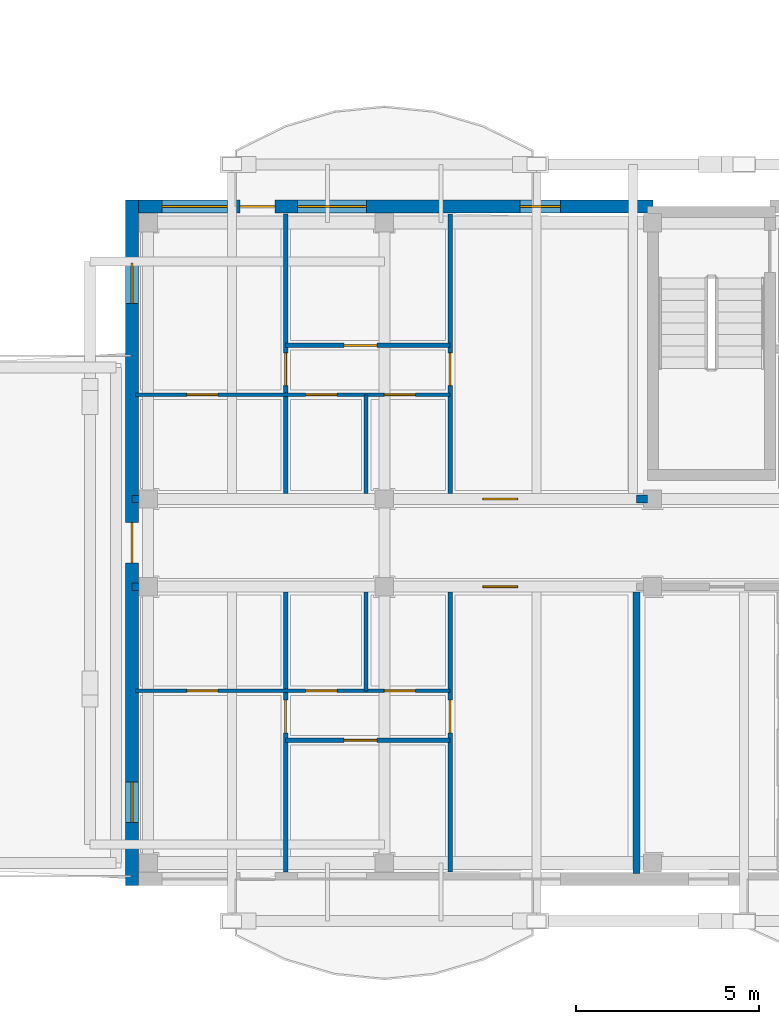
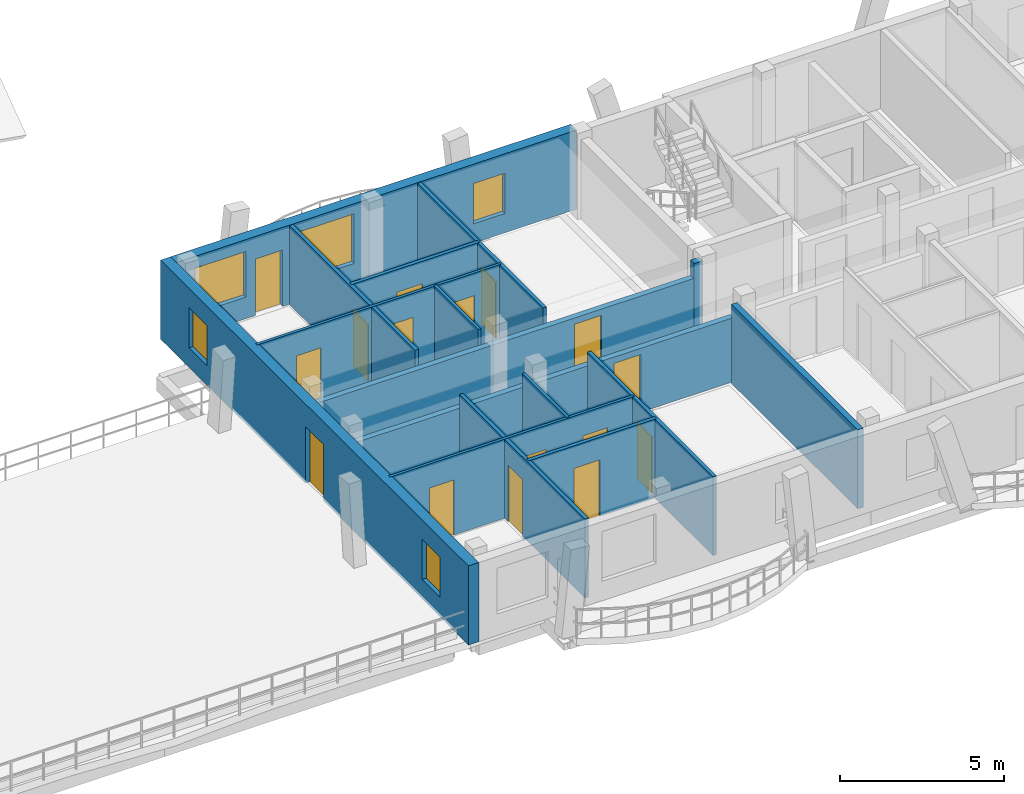
# One storey, part 70 of 109: 16 doors, 16 walls, 5 windows, 21 openings.
"""IFC4 building model written with IfcOpenShell, lengths in metres."""

from ifc_helpers import new_model, si_unit, direction, frame, frame_2d, origin, origin_with_axes, place, context, subcontext, project, spatial, rectangle, extrude, material, layer, layer_set, type_object, element, fill, save


model = new_model("IFC4")

# Units and contexts
model_context = context("Model", 3, precision=1e-05, world=origin(), true_north=direction((0.0, 1.0)))
body_context = subcontext(model_context, "Body", "Model", "MODEL_VIEW")
ifc_project = project(units=[si_unit("LENGTHUNIT", "METRE"), si_unit("AREAUNIT", "SQUARE_METRE"), si_unit("VOLUMEUNIT", "CUBIC_METRE"), si_unit("PLANEANGLEUNIT", "RADIAN"), si_unit("MASSUNIT", "GRAM", prefix="KILO")], contexts=[model_context])

# Site, building, storey
site_placement = place(None, origin())
site = spatial("IfcSite", under=ifc_project, at=site_placement, CompositionType="ELEMENT")
building_placement = place(site_placement, origin())
building = spatial("IfcBuilding", under=site, at=building_placement, Name="Zavelmont Quarter", CompositionType="ELEMENT")
storey_placement = place(building_placement, frame((0.0, 0.0, 8.0)))
storey = spatial("IfcBuildingStorey", under=building, at=storey_placement, Name="L02", CompositionType="ELEMENT", Elevation=8.0)

# Wall, openings, door, windows
ifc_material_1 = material(Name="Natural Belgian limestone", Category="masonry")
ifc_layer_1 = layer(ifc_material_1, 0.360107421875)
ifc_layer_set_1 = layer_set([ifc_layer_1], Name="Natural Belgian limestone")
wall_type_1 = type_object("IfcWallType", Name="EW02", PredefinedType="STANDARD", material=ifc_layer_set_1)
wall_1_placement = place(storey_placement, frame((112.969970703125, 18.39990234375, 0.0), z_axis=(0.0, 0.0, 1.0), x_axis=(1.0, 0.0, 0.0)))
wall_1 = element("IfcWall", 1, at=wall_1_placement, inside=storey, type_object=wall_type_1, Name="L02 exterior limestone wall EW02", PredefinedType="STANDARD", context=body_context, shape_type="SweptSolid", body=[
    extrude(rectangle(XDim=14.080078125, YDim=0.360107421875, at=frame_2d((7.0400390625, 0.0))), origin(), (0.0, 0.0, 1.0), 2.93994140625),
])
opening_1_placement = place(wall_1_placement, frame((2.7880859375, 0.0, 0.0)))
opening_1 = element("IfcOpeningElement", 2, at=opening_1_placement, cuts=wall_1, Name="Opening DR04", PredefinedType="OPENING", context=body_context, shape_type="SweptSolid", body=[
    extrude(rectangle(XDim=0.949951171875, YDim=2.10009765625, at=frame_2d((0.47509765625, 1.050048828125))), frame((0.0, 0.19189453125, 0.0), z_axis=(0.0, -1.0, 0.0), x_axis=(1.0, 0.0, 0.0)), (0.0, 0.0, 1.0), 0.384033203125),
])
opening_2_placement = place(wall_1_placement, frame((0.64501953125, 0.0, 0.800048828125)))
opening_2 = element("IfcOpeningElement", 3, at=opening_2_placement, cuts=wall_1, Name="Opening WN02", PredefinedType="OPENING", context=body_context, shape_type="SweptSolid", body=[
    extrude(rectangle(XDim=1.800048828125, YDim=1.699951171875, at=frame_2d((0.89990234375, 0.85009765625))), frame((0.0, 0.19189453125, 0.0), z_axis=(0.0, -1.0, 0.0), x_axis=(1.0, 0.0, 0.0)), (0.0, 0.0, 1.0), 0.384033203125),
])
opening_3_placement = place(wall_1_placement, frame((4.35009765625, 0.0, 0.719970703125)))
opening_3 = element("IfcOpeningElement", 4, at=opening_3_placement, cuts=wall_1, Name="Opening WN20", PredefinedType="OPENING", context=body_context, shape_type="SweptSolid", body=[
    extrude(rectangle(XDim=1.89990234375, YDim=1.85009765625, at=frame_2d((0.949951171875, 0.925048828125))), frame((0.0, 0.19189453125, 0.0), z_axis=(0.0, -1.0, 0.0), x_axis=(1.0, 0.0, 0.0)), (0.0, 0.0, 1.0), 0.384033203125),
])
opening_4_placement = place(wall_1_placement, frame((10.449951171875, 0.0, 0.719970703125)))
opening_4 = element("IfcOpeningElement", 5, at=opening_4_placement, cuts=wall_1, Name="Opening WN09", PredefinedType="OPENING", context=body_context, shape_type="SweptSolid", body=[
    extrude(rectangle(XDim=1.10009765625, YDim=1.5, at=frame_2d((0.550048828125, 0.75))), frame((0.0, 0.19189453125, 0.0), z_axis=(0.0, -1.0, 0.0), x_axis=(1.0, 0.0, 0.0)), (0.0, 0.0, 1.0), 0.384033203125),
])
ifc_material_2 = material(Name="Thermally broken aluminium and double safety glass", Category="aluminium")
door_type_1 = type_object("IfcDoorType", Name="DR04", OperationType="NOTDEFINED", PredefinedType="DOOR", material=ifc_material_2)
door_1_placement = place(opening_1_placement, frame((0.949951171875, 0.0, 0.0), z_axis=(0.0, 0.0, 1.0), x_axis=(-1.0, 0.0, 0.0)))
door_1 = element("IfcDoor", 6, at=door_1_placement, inside=storey, type_object=door_type_1, Name="Block D L02 glazed balcony door", OperationType="SINGLE_SWING_LEFT", OverallHeight=2.10009765625, OverallWidth=0.949951171875, PredefinedType="DOOR", context=body_context, shape_type="SweptSolid", body=[
    extrude(rectangle(XDim=0.949951171875, YDim=2.10009765625, at=frame_2d((0.47509765625, 1.050048828125))), frame((0.0, 0.02490234375, 0.0), z_axis=(0.0, -1.0, 0.0), x_axis=(1.0, 0.0, 0.0)), (0.0, 0.0, 1.0), 0.050048828125),
])
fill(opening_1, door_1)
ifc_material_3 = material(Name="Double low-E insulated glazing in thermally broken aluminium frame", Category="aluminium")
window_type_1 = type_object("IfcWindowType", Name="WN02", PartitioningType="SINGLE_PANEL", PredefinedType="WINDOW", material=ifc_material_3)
window_1_placement = place(opening_2_placement, origin_with_axes())
window_1 = element("IfcWindow", 7, at=window_1_placement, inside=storey, type_object=window_type_1, Name="L02 window WN02", OverallHeight=1.699951171875, OverallWidth=1.800048828125, PartitioningType="SINGLE_PANEL", PredefinedType="WINDOW", context=body_context, shape_type="SweptSolid", body=[
    extrude(rectangle(XDim=1.800048828125, YDim=1.699951171875, at=frame_2d((0.89990234375, 0.85009765625))), frame((0.0, 0.030029296875, 0.0), z_axis=(0.0, -1.0, 0.0), x_axis=(1.0, 0.0, 0.0)), (0.0, 0.0, 1.0), 0.06005859375),
])
fill(opening_2, window_1)
window_type_2 = type_object("IfcWindowType", Name="WN09", PartitioningType="SINGLE_PANEL", PredefinedType="WINDOW", material=ifc_material_3)
window_2_placement = place(opening_4_placement, origin_with_axes())
window_2 = element("IfcWindow", 8, at=window_2_placement, inside=storey, type_object=window_type_2, Name="L02 window WN09", OverallHeight=1.5, OverallWidth=1.10009765625, PartitioningType="SINGLE_PANEL", PredefinedType="WINDOW", context=body_context, shape_type="SweptSolid", body=[
    extrude(rectangle(XDim=1.10009765625, YDim=1.5, at=frame_2d((0.550048828125, 0.75))), frame((0.0, 0.030029296875, 0.0), z_axis=(0.0, -1.0, 0.0), x_axis=(1.0, 0.0, 0.0)), (0.0, 0.0, 1.0), 0.06005859375),
])
fill(opening_4, window_2)
window_type_3 = type_object("IfcWindowType", Name="WN20", PartitioningType="SINGLE_PANEL", PredefinedType="WINDOW", material=ifc_material_3)
window_3_placement = place(opening_3_placement, origin_with_axes())
window_3 = element("IfcWindow", 9, at=window_3_placement, inside=storey, type_object=window_type_3, Name="L02 window WN20", OverallHeight=1.85009765625, OverallWidth=1.89990234375, PartitioningType="SINGLE_PANEL", PredefinedType="WINDOW", context=body_context, shape_type="SweptSolid", body=[
    extrude(rectangle(XDim=1.89990234375, YDim=1.85009765625, at=frame_2d((0.949951171875, 0.925048828125))), frame((0.0, 0.030029296875, 0.0), z_axis=(0.0, -1.0, 0.0), x_axis=(1.0, 0.0, 0.0)), (0.0, 0.0, 1.0), 0.06005859375),
])
fill(opening_3, window_3)

wall_2_placement = place(storey_placement, frame((112.800048828125, -0.179931640625, 0.0), z_axis=(0.0, 0.0, 1.0), x_axis=(0.0, 1.0, 0.0)))
wall_2 = element("IfcWall", 10, at=wall_2_placement, inside=storey, type_object=wall_type_1, Name="L02 exterior limestone wall EW02", PredefinedType="STANDARD", context=body_context, shape_type="SweptSolid", body=[
    extrude(rectangle(XDim=18.760009765625, YDim=0.360107421875, at=frame_2d((9.3798828125, 0.0))), origin(), (0.0, 0.0, 1.0), 2.93994140625),
])
opening_5_placement = place(wall_2_placement, frame((8.830078125, 0.0, 0.0)))
opening_5 = element("IfcOpeningElement", 11, at=opening_5_placement, cuts=wall_2, Name="Opening DR04B", PredefinedType="OPENING", context=body_context, shape_type="SweptSolid", body=[
    extrude(rectangle(XDim=1.10009765625, YDim=2.10009765625, at=frame_2d((0.550048828125, 1.050048828125))), frame((0.0, 0.19189453125, 0.0), z_axis=(0.0, -1.0, 0.0), x_axis=(1.0, 0.0, 0.0)), (0.0, 0.0, 1.0), 0.384033203125),
])
opening_6_placement = place(wall_2_placement, frame((1.72998046875, 0.0, 0.719970703125)))
opening_6 = element("IfcOpeningElement", 12, at=opening_6_placement, cuts=wall_2, Name="Opening WN09", PredefinedType="OPENING", context=body_context, shape_type="SweptSolid", body=[
    extrude(rectangle(XDim=1.10009765625, YDim=1.5, at=frame_2d((0.550048828125, 0.75))), frame((0.0, 0.19189453125, 0.0), z_axis=(0.0, -1.0, 0.0), x_axis=(1.0, 0.0, 0.0)), (0.0, 0.0, 1.0), 0.384033203125),
])
opening_7_placement = place(wall_2_placement, frame((15.929931640625, 0.0, 0.719970703125)))
opening_7 = element("IfcOpeningElement", 13, at=opening_7_placement, cuts=wall_2, Name="Opening WN09", PredefinedType="OPENING", context=body_context, shape_type="SweptSolid", body=[
    extrude(rectangle(XDim=1.10009765625, YDim=1.5, at=frame_2d((0.550048828125, 0.75))), frame((0.0, 0.19189453125, 0.0), z_axis=(0.0, -1.0, 0.0), x_axis=(1.0, 0.0, 0.0)), (0.0, 0.0, 1.0), 0.384033203125),
])
door_type_2 = type_object("IfcDoorType", Name="DR04B", OperationType="NOTDEFINED", PredefinedType="DOOR", material=ifc_material_2)
door_2_placement = place(opening_5_placement, frame((1.10009765625, 0.0, 0.0), z_axis=(0.0, 0.0, 1.0), x_axis=(-1.0, 0.0, 0.0)))
door_2 = element("IfcDoor", 14, at=door_2_placement, inside=storey, type_object=door_type_2, Name="Block D L02 street arcade link door", OperationType="SINGLE_SWING_RIGHT", OverallHeight=2.10009765625, OverallWidth=1.10009765625, PredefinedType="DOOR", context=body_context, shape_type="SweptSolid", body=[
    extrude(rectangle(XDim=1.10009765625, YDim=2.10009765625, at=frame_2d((0.550048828125, 1.050048828125))), frame((0.0, 0.02490234375, 0.0), z_axis=(0.0, -1.0, 0.0), x_axis=(1.0, 0.0, 0.0)), (0.0, 0.0, 1.0), 0.050048828125),
])
fill(opening_5, door_2)
window_4_placement = place(opening_6_placement, origin_with_axes())
window_4 = element("IfcWindow", 15, at=window_4_placement, inside=storey, type_object=window_type_2, Name="L02 window WN09", OverallHeight=1.5, OverallWidth=1.10009765625, PartitioningType="SINGLE_PANEL", PredefinedType="WINDOW", context=body_context, shape_type="SweptSolid", body=[
    extrude(rectangle(XDim=1.10009765625, YDim=1.5, at=frame_2d((0.550048828125, 0.75))), frame((0.0, 0.030029296875, 0.0), z_axis=(0.0, -1.0, 0.0), x_axis=(1.0, 0.0, 0.0)), (0.0, 0.0, 1.0), 0.06005859375),
])
fill(opening_6, window_4)
window_5_placement = place(opening_7_placement, origin_with_axes())
window_5 = element("IfcWindow", 16, at=window_5_placement, inside=storey, type_object=window_type_2, Name="L02 window WN09", OverallHeight=1.5, OverallWidth=1.10009765625, PartitioningType="SINGLE_PANEL", PredefinedType="WINDOW", context=body_context, shape_type="SweptSolid", body=[
    extrude(rectangle(XDim=1.10009765625, YDim=1.5, at=frame_2d((0.550048828125, 0.75))), frame((0.0, 0.030029296875, 0.0), z_axis=(0.0, -1.0, 0.0), x_axis=(1.0, 0.0, 0.0)), (0.0, 0.0, 1.0), 0.06005859375),
])
fill(opening_7, window_5)

# Wall
ifc_material_4 = material(Name="Calcium-silicate blockwork and acoustic plaster", Category="masonry")
ifc_layer_2 = layer(ifc_material_4, 0.199951171875)
ifc_layer_set_2 = layer_set([ifc_layer_2], Name="Calcium-silicate blockwork and acoustic plaster")
wall_type_2 = type_object("IfcWallType", Name="IW01", PredefinedType="PARTITIONING", material=ifc_layer_set_2)
wall_3_placement = place(storey_placement, frame((126.60009765625, 7.85009765625, 0.0), z_axis=(0.0, 0.0, 1.0), x_axis=(0.0, -1.0, 0.0)))
element("IfcWall", 17, at=wall_3_placement, inside=storey, type_object=wall_type_2, Name="L02 Inter-dwelling compartment wall IW01", PredefinedType="PARTITIONING", context=body_context, shape_type="SweptSolid", body=[
    extrude(rectangle(XDim=7.7001953125, YDim=0.199951171875, at=frame_2d((3.85009765625, 0.0))), origin(), (0.0, 0.0, 1.0), 2.93994140625),
])

# Wall, opening, door
wall_4_placement = place(storey_placement, frame((112.800048828125, 8.0, 0.0), z_axis=(0.0, 0.0, 1.0), x_axis=(1.0, 0.0, 0.0)))
wall_4 = element("IfcWall", 18, at=wall_4_placement, inside=storey, type_object=wall_type_2, Name="L02 Corridor compartment wall IW01", PredefinedType="PARTITIONING", context=body_context, shape_type="SweptSolid", body=[
    extrude(rectangle(XDim=13.800048828125, YDim=0.199951171875, at=frame_2d((6.89990234375, 0.0))), origin(), (0.0, 0.0, 1.0), 2.3798828125),
])
opening_8_placement = place(wall_4_placement, frame((9.60009765625, 0.0, 0.0)))
opening_8 = element("IfcOpeningElement", 19, at=opening_8_placement, cuts=wall_4, Name="Opening DR02", PredefinedType="OPENING", context=body_context, shape_type="SweptSolid", body=[
    extrude(rectangle(XDim=0.949951171875, YDim=2.14990234375, at=frame_2d((0.47509765625, 1.074951171875))), frame((0.0, 0.11181640625, 0.0), z_axis=(0.0, -1.0, 0.0), x_axis=(1.0, 0.0, 0.0)), (0.0, 0.0, 1.0), 0.223876953125),
])
ifc_material_5 = material(Name="Solid-core oak fire leaf in steel frame", Category="steel")
door_type_3 = type_object("IfcDoorType", Name="DR02", OperationType="NOTDEFINED", PredefinedType="DOOR", material=ifc_material_5)
door_3_placement = place(opening_8_placement, frame((0.949951171875, 0.0, 0.0), z_axis=(0.0, 0.0, 1.0), x_axis=(-1.0, 0.0, 0.0)))
door_3 = element("IfcDoor", 20, at=door_3_placement, inside=storey, type_object=door_type_3, Name="L02 door DR02", OperationType="SINGLE_SWING_LEFT", OverallHeight=2.14990234375, OverallWidth=0.949951171875, PredefinedType="DOOR", context=body_context, shape_type="SweptSolid", body=[
    extrude(rectangle(XDim=0.949951171875, YDim=2.14990234375, at=frame_2d((0.47509765625, 1.074951171875))), frame((0.0, 0.02490234375, 0.0), z_axis=(0.0, -1.0, 0.0), x_axis=(1.0, 0.0, 0.0)), (0.0, 0.0, 1.0), 0.050048828125),
])
fill(opening_8, door_3)

wall_5_placement = place(storey_placement, frame((112.800048828125, 10.39990234375, 0.0), z_axis=(0.0, 0.0, 1.0), x_axis=(1.0, 0.0, 0.0)))
wall_5 = element("IfcWall", 21, at=wall_5_placement, inside=storey, type_object=wall_type_2, Name="L02 Corridor compartment wall IW01", PredefinedType="PARTITIONING", context=body_context, shape_type="SweptSolid", body=[
    extrude(rectangle(XDim=13.800048828125, YDim=0.199951171875, at=frame_2d((6.89990234375, 0.0))), origin(), (0.0, 0.0, 1.0), 2.3798828125),
])
opening_9_placement = place(wall_5_placement, frame((9.60009765625, 0.0, 0.0)))
opening_9 = element("IfcOpeningElement", 22, at=opening_9_placement, cuts=wall_5, Name="Opening DR02", PredefinedType="OPENING", context=body_context, shape_type="SweptSolid", body=[
    extrude(rectangle(XDim=0.949951171875, YDim=2.14990234375, at=frame_2d((0.47509765625, 1.074951171875))), frame((0.0, 0.11181640625, 0.0), z_axis=(0.0, -1.0, 0.0), x_axis=(1.0, 0.0, 0.0)), (0.0, 0.0, 1.0), 0.223876953125),
])
door_4_placement = place(opening_9_placement, origin_with_axes())
door_4 = element("IfcDoor", 23, at=door_4_placement, inside=storey, type_object=door_type_3, Name="L02 door DR02", OperationType="SINGLE_SWING_LEFT", OverallHeight=2.14990234375, OverallWidth=0.949951171875, PredefinedType="DOOR", context=body_context, shape_type="SweptSolid", body=[
    extrude(rectangle(XDim=0.949951171875, YDim=2.14990234375, at=frame_2d((0.47509765625, 1.074951171875))), frame((0.0, 0.02490234375, 0.0), z_axis=(0.0, -1.0, 0.0), x_axis=(1.0, 0.0, 0.0)), (0.0, 0.0, 1.0), 0.050048828125),
])
fill(opening_9, door_4)

# Wall
ifc_material_6 = material(Name="Reinforced masonry fire compartment wall", Category="masonry")
ifc_layer_3 = layer(ifc_material_6, 0.22509765625)
ifc_layer_set_3 = layer_set([ifc_layer_3], Name="Reinforced masonry fire compartment wall")
wall_type_3 = type_object("IfcWallType", Name="IW02", PredefinedType="PARTITIONING", material=ifc_layer_set_3)
wall_6_placement = place(storey_placement, frame((126.60009765625, 10.39990234375, 0.0), z_axis=(0.0, 0.0, 1.0), x_axis=(1.0, 0.0, 0.0)))
element("IfcWall", 24, at=wall_6_placement, inside=storey, type_object=wall_type_3, Name="L02 Core corridor wall IW02", PredefinedType="PARTITIONING", context=body_context, shape_type="SweptSolid", body=[
    extrude(rectangle(XDim=0.2998046875, YDim=0.22509765625, at=frame_2d((0.14990234375, 0.0))), origin(), (0.0, 0.0, 1.0), 2.93994140625),
])

# Wall, opening, door
ifc_material_7 = material(Name="Double gypsum board on acoustic steel stud", Category="steel")
ifc_layer_4 = layer(ifc_material_7, 0.125)
ifc_layer_set_4 = layer_set([ifc_layer_4], Name="Double gypsum board on acoustic steel stud")
wall_type_4 = type_object("IfcWallType", Name="IW03", PredefinedType="PARTITIONING", material=ifc_layer_set_4)
wall_7_placement = place(storey_placement, frame((121.5, 7.85009765625, 0.0), z_axis=(0.0, 0.0, 1.0), x_axis=(0.0, -1.0, 0.0)))
wall_7 = element("IfcWall", 25, at=wall_7_placement, inside=storey, type_object=wall_type_4, Name="L02 Partition IW03", PredefinedType="PARTITIONING", context=body_context, shape_type="SweptSolid", body=[
    extrude(rectangle(XDim=7.650146484375, YDim=0.125, at=frame_2d((3.8251953125, 0.0))), origin(), (0.0, 0.0, 1.0), 2.93994140625),
])
opening_10_placement = place(wall_7_placement, frame((2.949951171875, 0.0, 0.0)))
opening_10 = element("IfcOpeningElement", 26, at=opening_10_placement, cuts=wall_7, Name="Opening DR05", PredefinedType="OPENING", context=body_context, shape_type="SweptSolid", body=[
    extrude(rectangle(XDim=0.89990234375, YDim=2.10009765625, at=frame_2d((0.449951171875, 1.050048828125))), frame((0.0, 0.074462890625, 0.0), z_axis=(0.0, -1.0, 0.0), x_axis=(1.0, 0.0, 0.0)), (0.0, 0.0, 1.0), 0.14892578125),
])
ifc_material_8 = material(Name="Engineered oak flush interior door")
door_type_4 = type_object("IfcDoorType", Name="DR05", OperationType="NOTDEFINED", PredefinedType="DOOR", material=ifc_material_8)
door_5_placement = place(opening_10_placement, frame((0.89990234375, 0.0, 0.0), z_axis=(0.0, 0.0, 1.0), x_axis=(-1.0, 0.0, 0.0)))
door_5 = element("IfcDoor", 27, at=door_5_placement, inside=storey, type_object=door_type_4, Name="L02 door DR05", OperationType="SINGLE_SWING_LEFT", OverallHeight=2.10009765625, OverallWidth=0.89990234375, PredefinedType="DOOR", context=body_context, shape_type="SweptSolid", body=[
    extrude(rectangle(XDim=0.89990234375, YDim=2.10009765625, at=frame_2d((0.449951171875, 1.050048828125))), frame((0.0, 0.02490234375, 0.0), z_axis=(0.0, -1.0, 0.0), x_axis=(1.0, 0.0, 0.0)), (0.0, 0.0, 1.0), 0.050048828125),
])
fill(opening_10, door_5)

wall_8_placement = place(storey_placement, frame((117.0, 7.85009765625, 0.0), z_axis=(0.0, 0.0, 1.0), x_axis=(0.0, -1.0, 0.0)))
wall_8 = element("IfcWall", 28, at=wall_8_placement, inside=storey, type_object=wall_type_4, Name="L02 Partition IW03", PredefinedType="PARTITIONING", context=body_context, shape_type="SweptSolid", body=[
    extrude(rectangle(XDim=7.650146484375, YDim=0.125, at=frame_2d((3.8251953125, 0.0))), origin(), (0.0, 0.0, 1.0), 2.93994140625),
])
opening_11_placement = place(wall_8_placement, frame((2.949951171875, 0.0, 0.0)))
opening_11 = element("IfcOpeningElement", 29, at=opening_11_placement, cuts=wall_8, Name="Opening DR05", PredefinedType="OPENING", context=body_context, shape_type="SweptSolid", body=[
    extrude(rectangle(XDim=0.89990234375, YDim=2.10009765625, at=frame_2d((0.449951171875, 1.050048828125))), frame((0.0, 0.074462890625, 0.0), z_axis=(0.0, -1.0, 0.0), x_axis=(1.0, 0.0, 0.0)), (0.0, 0.0, 1.0), 0.14892578125),
])
door_6_placement = place(opening_11_placement, origin_with_axes())
door_6 = element("IfcDoor", 30, at=door_6_placement, inside=storey, type_object=door_type_4, Name="L02 door DR05", OperationType="SINGLE_SWING_RIGHT", OverallHeight=2.10009765625, OverallWidth=0.89990234375, PredefinedType="DOOR", context=body_context, shape_type="SweptSolid", body=[
    extrude(rectangle(XDim=0.89990234375, YDim=2.10009765625, at=frame_2d((0.449951171875, 1.050048828125))), frame((0.0, 0.02490234375, 0.0), z_axis=(0.0, -1.0, 0.0), x_axis=(1.0, 0.0, 0.0)), (0.0, 0.0, 1.0), 0.050048828125),
])
fill(opening_11, door_6)

wall_9_placement = place(storey_placement, frame((117.0, 3.800048828125, 0.0), z_axis=(0.0, 0.0, 1.0), x_axis=(1.0, 0.0, 0.0)))
wall_9 = element("IfcWall", 31, at=wall_9_placement, inside=storey, type_object=wall_type_4, Name="L02 Partition IW03", PredefinedType="PARTITIONING", context=body_context, shape_type="SweptSolid", body=[
    extrude(rectangle(XDim=4.5, YDim=0.125, at=frame_2d((2.25, 0.0))), origin(), (0.0, 0.0, 1.0), 2.93994140625),
])
opening_12_placement = place(wall_9_placement, frame((1.60009765625, 0.0, 0.0)))
opening_12 = element("IfcOpeningElement", 32, at=opening_12_placement, cuts=wall_9, Name="Opening DR05", PredefinedType="OPENING", context=body_context, shape_type="SweptSolid", body=[
    extrude(rectangle(XDim=0.89990234375, YDim=2.10009765625, at=frame_2d((0.449951171875, 1.050048828125))), frame((0.0, 0.074462890625, 0.0), z_axis=(0.0, -1.0, 0.0), x_axis=(1.0, 0.0, 0.0)), (0.0, 0.0, 1.0), 0.14892578125),
])
door_7_placement = place(opening_12_placement, origin_with_axes())
door_7 = element("IfcDoor", 33, at=door_7_placement, inside=storey, type_object=door_type_4, Name="L02 door DR05", OperationType="SINGLE_SWING_RIGHT", OverallHeight=2.10009765625, OverallWidth=0.89990234375, PredefinedType="DOOR", context=body_context, shape_type="SweptSolid", body=[
    extrude(rectangle(XDim=0.89990234375, YDim=2.10009765625, at=frame_2d((0.449951171875, 1.050048828125))), frame((0.0, 0.02490234375, 0.0), z_axis=(0.0, -1.0, 0.0), x_axis=(1.0, 0.0, 0.0)), (0.0, 0.0, 1.0), 0.050048828125),
])
fill(opening_12, door_7)

wall_10_placement = place(storey_placement, frame((121.5, 10.550048828125, 0.0), z_axis=(0.0, 0.0, 1.0), x_axis=(0.0, 1.0, 0.0)))
wall_10 = element("IfcWall", 34, at=wall_10_placement, inside=storey, type_object=wall_type_4, Name="L02 Partition IW03", PredefinedType="PARTITIONING", context=body_context, shape_type="SweptSolid", body=[
    extrude(rectangle(XDim=7.64990234375, YDim=0.125, at=frame_2d((3.824951171875, 0.0))), origin(), (0.0, 0.0, 1.0), 2.93994140625),
])
opening_13_placement = place(wall_10_placement, frame((2.949951171875, 0.0, 0.0)))
opening_13 = element("IfcOpeningElement", 35, at=opening_13_placement, cuts=wall_10, Name="Opening DR05", PredefinedType="OPENING", context=body_context, shape_type="SweptSolid", body=[
    extrude(rectangle(XDim=0.89990234375, YDim=2.10009765625, at=frame_2d((0.449951171875, 1.050048828125))), frame((0.0, 0.074462890625, 0.0), z_axis=(0.0, -1.0, 0.0), x_axis=(1.0, 0.0, 0.0)), (0.0, 0.0, 1.0), 0.14892578125),
])
door_8_placement = place(opening_13_placement, frame((0.89990234375, 0.0, 0.0), z_axis=(0.0, 0.0, 1.0), x_axis=(-1.0, 0.0, 0.0)))
door_8 = element("IfcDoor", 36, at=door_8_placement, inside=storey, type_object=door_type_4, Name="L02 door DR05", OperationType="SINGLE_SWING_LEFT", OverallHeight=2.10009765625, OverallWidth=0.89990234375, PredefinedType="DOOR", context=body_context, shape_type="SweptSolid", body=[
    extrude(rectangle(XDim=0.89990234375, YDim=2.10009765625, at=frame_2d((0.449951171875, 1.050048828125))), frame((0.0, 0.02490234375, 0.0), z_axis=(0.0, -1.0, 0.0), x_axis=(1.0, 0.0, 0.0)), (0.0, 0.0, 1.0), 0.050048828125),
])
fill(opening_13, door_8)

wall_11_placement = place(storey_placement, frame((117.0, 10.550048828125, 0.0), z_axis=(0.0, 0.0, 1.0), x_axis=(0.0, 1.0, 0.0)))
wall_11 = element("IfcWall", 37, at=wall_11_placement, inside=storey, type_object=wall_type_4, Name="L02 Partition IW03", PredefinedType="PARTITIONING", context=body_context, shape_type="SweptSolid", body=[
    extrude(rectangle(XDim=7.64990234375, YDim=0.125, at=frame_2d((3.824951171875, 0.0))), origin(), (0.0, 0.0, 1.0), 2.93994140625),
])
opening_14_placement = place(wall_11_placement, frame((2.949951171875, 0.0, 0.0)))
opening_14 = element("IfcOpeningElement", 38, at=opening_14_placement, cuts=wall_11, Name="Opening DR05", PredefinedType="OPENING", context=body_context, shape_type="SweptSolid", body=[
    extrude(rectangle(XDim=0.89990234375, YDim=2.10009765625, at=frame_2d((0.449951171875, 1.050048828125))), frame((0.0, 0.074462890625, 0.0), z_axis=(0.0, -1.0, 0.0), x_axis=(1.0, 0.0, 0.0)), (0.0, 0.0, 1.0), 0.14892578125),
])
door_9_placement = place(opening_14_placement, origin_with_axes())
door_9 = element("IfcDoor", 39, at=door_9_placement, inside=storey, type_object=door_type_4, Name="L02 door DR05", OperationType="SINGLE_SWING_RIGHT", OverallHeight=2.10009765625, OverallWidth=0.89990234375, PredefinedType="DOOR", context=body_context, shape_type="SweptSolid", body=[
    extrude(rectangle(XDim=0.89990234375, YDim=2.10009765625, at=frame_2d((0.449951171875, 1.050048828125))), frame((0.0, 0.02490234375, 0.0), z_axis=(0.0, -1.0, 0.0), x_axis=(1.0, 0.0, 0.0)), (0.0, 0.0, 1.0), 0.050048828125),
])
fill(opening_14, door_9)

wall_12_placement = place(storey_placement, frame((117.0, 14.60009765625, 0.0), z_axis=(0.0, 0.0, 1.0), x_axis=(1.0, 0.0, 0.0)))
wall_12 = element("IfcWall", 40, at=wall_12_placement, inside=storey, type_object=wall_type_4, Name="L02 Partition IW03", PredefinedType="PARTITIONING", context=body_context, shape_type="SweptSolid", body=[
    extrude(rectangle(XDim=4.5, YDim=0.125, at=frame_2d((2.25, 0.0))), origin(), (0.0, 0.0, 1.0), 2.93994140625),
])
opening_15_placement = place(wall_12_placement, frame((1.60009765625, 0.0, 0.0)))
opening_15 = element("IfcOpeningElement", 41, at=opening_15_placement, cuts=wall_12, Name="Opening DR05", PredefinedType="OPENING", context=body_context, shape_type="SweptSolid", body=[
    extrude(rectangle(XDim=0.89990234375, YDim=2.10009765625, at=frame_2d((0.449951171875, 1.050048828125))), frame((0.0, 0.074462890625, 0.0), z_axis=(0.0, -1.0, 0.0), x_axis=(1.0, 0.0, 0.0)), (0.0, 0.0, 1.0), 0.14892578125),
])
door_10_placement = place(opening_15_placement, origin_with_axes())
door_10 = element("IfcDoor", 42, at=door_10_placement, inside=storey, type_object=door_type_4, Name="L02 door DR05", OperationType="SINGLE_SWING_RIGHT", OverallHeight=2.10009765625, OverallWidth=0.89990234375, PredefinedType="DOOR", context=body_context, shape_type="SweptSolid", body=[
    extrude(rectangle(XDim=0.89990234375, YDim=2.10009765625, at=frame_2d((0.449951171875, 1.050048828125))), frame((0.0, 0.02490234375, 0.0), z_axis=(0.0, -1.0, 0.0), x_axis=(1.0, 0.0, 0.0)), (0.0, 0.0, 1.0), 0.050048828125),
])
fill(opening_15, door_10)

# Wall
ifc_material_9 = material(Name="Moisture-resistant gypsum board on steel stud", Category="steel")
ifc_layer_5 = layer(ifc_material_9, 0.10009765625)
ifc_layer_set_5 = layer_set([ifc_layer_5], Name="Moisture-resistant gypsum board on steel stud")
wall_type_5 = type_object("IfcWallType", Name="IW04", PredefinedType="PARTITIONING", material=ifc_layer_set_5)
wall_13_placement = place(storey_placement, frame((119.199951171875, 7.85009765625, 0.0), z_axis=(0.0, 0.0, 1.0), x_axis=(0.0, -1.0, 0.0)))
element("IfcWall", 43, at=wall_13_placement, inside=storey, type_object=wall_type_5, Name="L02 Partition IW04", PredefinedType="PARTITIONING", context=body_context, shape_type="SweptSolid", body=[
    extrude(rectangle(XDim=2.7001953125, YDim=0.10009765625, at=frame_2d((1.35009765625, 0.0))), origin(), (0.0, 0.0, 1.0), 2.93994140625),
])

# Wall, openings, doors
wall_14_placement = place(storey_placement, frame((112.89990234375, 5.14990234375, 0.0), z_axis=(0.0, 0.0, 1.0), x_axis=(1.0, 0.0, 0.0)))
wall_14 = element("IfcWall", 44, at=wall_14_placement, inside=storey, type_object=wall_type_5, Name="L02 Partition IW04", PredefinedType="PARTITIONING", context=body_context, shape_type="SweptSolid", body=[
    extrude(rectangle(XDim=8.60009765625, YDim=0.10009765625, at=frame_2d((4.300048828125, 0.0))), origin(), (0.0, 0.0, 1.0), 2.93994140625),
])
opening_16_placement = place(wall_14_placement, frame((1.39990234375, 0.0, 0.0)))
opening_16 = element("IfcOpeningElement", 45, at=opening_16_placement, cuts=wall_14, Name="Opening DR06", PredefinedType="OPENING", context=body_context, shape_type="SweptSolid", body=[
    extrude(rectangle(XDim=0.85009765625, YDim=2.050048828125, at=frame_2d((0.425048828125, 1.02490234375))), frame((0.0, 0.06201171875, 0.0), z_axis=(0.0, -1.0, 0.0), x_axis=(1.0, 0.0, 0.0)), (0.0, 0.0, 1.0), 0.1240234375),
])
opening_17_placement = place(wall_14_placement, frame((4.64990234375, 0.0, 0.0)))
opening_17 = element("IfcOpeningElement", 46, at=opening_17_placement, cuts=wall_14, Name="Opening DR06", PredefinedType="OPENING", context=body_context, shape_type="SweptSolid", body=[
    extrude(rectangle(XDim=0.85009765625, YDim=2.050048828125, at=frame_2d((0.425048828125, 1.02490234375))), frame((0.0, 0.06201171875, 0.0), z_axis=(0.0, -1.0, 0.0), x_axis=(1.0, 0.0, 0.0)), (0.0, 0.0, 1.0), 0.1240234375),
])
opening_18_placement = place(wall_14_placement, frame((6.800048828125, 0.0, 0.0)))
opening_18 = element("IfcOpeningElement", 47, at=opening_18_placement, cuts=wall_14, Name="Opening DR16", PredefinedType="OPENING", context=body_context, shape_type="SweptSolid", body=[
    extrude(rectangle(XDim=0.85009765625, YDim=2.10009765625, at=frame_2d((0.425048828125, 1.050048828125))), frame((0.0, 0.06201171875, 0.0), z_axis=(0.0, -1.0, 0.0), x_axis=(1.0, 0.0, 0.0)), (0.0, 0.0, 1.0), 0.1240234375),
])
ifc_material_10 = material(Name="Moisture-resistant painted wet-room door")
door_type_5 = type_object("IfcDoorType", Name="DR06", OperationType="NOTDEFINED", PredefinedType="DOOR", material=ifc_material_10)
door_11_placement = place(opening_16_placement, frame((0.85009765625, 0.0, 0.0), z_axis=(0.0, 0.0, 1.0), x_axis=(-1.0, 0.0, 0.0)))
door_11 = element("IfcDoor", 48, at=door_11_placement, inside=storey, type_object=door_type_5, Name="L02 door DR06", OperationType="SINGLE_SWING_LEFT", OverallHeight=2.050048828125, OverallWidth=0.85009765625, PredefinedType="DOOR", context=body_context, shape_type="SweptSolid", body=[
    extrude(rectangle(XDim=0.85009765625, YDim=2.050048828125, at=frame_2d((0.425048828125, 1.02490234375))), frame((0.0, 0.02490234375, 0.0), z_axis=(0.0, -1.0, 0.0), x_axis=(1.0, 0.0, 0.0)), (0.0, 0.0, 1.0), 0.050048828125),
])
fill(opening_16, door_11)
door_12_placement = place(opening_17_placement, origin_with_axes())
door_12 = element("IfcDoor", 49, at=door_12_placement, inside=storey, type_object=door_type_5, Name="L02 door DR06", OperationType="SINGLE_SWING_RIGHT", OverallHeight=2.050048828125, OverallWidth=0.85009765625, PredefinedType="DOOR", context=body_context, shape_type="SweptSolid", body=[
    extrude(rectangle(XDim=0.85009765625, YDim=2.050048828125, at=frame_2d((0.425048828125, 1.02490234375))), frame((0.0, 0.02490234375, 0.0), z_axis=(0.0, -1.0, 0.0), x_axis=(1.0, 0.0, 0.0)), (0.0, 0.0, 1.0), 0.050048828125),
])
fill(opening_17, door_12)
door_type_6 = type_object("IfcDoorType", Name="DR16", OperationType="NOTDEFINED", PredefinedType="DOOR", material=ifc_material_8)
door_13_placement = place(opening_18_placement, frame((0.85009765625, 0.0, 0.0), z_axis=(0.0, 0.0, 1.0), x_axis=(-1.0, 0.0, 0.0)))
door_13 = element("IfcDoor", 50, at=door_13_placement, inside=storey, type_object=door_type_6, Name="L02 door DR16", OperationType="SINGLE_SWING_LEFT", OverallHeight=2.10009765625, OverallWidth=0.85009765625, PredefinedType="DOOR", context=body_context, shape_type="SweptSolid", body=[
    extrude(rectangle(XDim=0.85009765625, YDim=2.10009765625, at=frame_2d((0.425048828125, 1.050048828125))), frame((0.0, 0.02490234375, 0.0), z_axis=(0.0, -1.0, 0.0), x_axis=(1.0, 0.0, 0.0)), (0.0, 0.0, 1.0), 0.050048828125),
])
fill(opening_18, door_13)

# Wall
wall_15_placement = place(storey_placement, frame((119.199951171875, 10.550048828125, 0.0), z_axis=(0.0, 0.0, 1.0), x_axis=(0.0, 1.0, 0.0)))
element("IfcWall", 51, at=wall_15_placement, inside=storey, type_object=wall_type_5, Name="L02 Partition IW04", PredefinedType="PARTITIONING", context=body_context, shape_type="SweptSolid", body=[
    extrude(rectangle(XDim=2.699951171875, YDim=0.10009765625, at=frame_2d((1.35009765625, 0.0))), origin(), (0.0, 0.0, 1.0), 2.93994140625),
])

# Wall, openings, doors
wall_16_placement = place(storey_placement, frame((112.89990234375, 13.25, 0.0), z_axis=(0.0, 0.0, 1.0), x_axis=(1.0, 0.0, 0.0)))
wall_16 = element("IfcWall", 52, at=wall_16_placement, inside=storey, type_object=wall_type_5, Name="L02 Partition IW04", PredefinedType="PARTITIONING", context=body_context, shape_type="SweptSolid", body=[
    extrude(rectangle(XDim=8.60009765625, YDim=0.10009765625, at=frame_2d((4.300048828125, 0.0))), origin(), (0.0, 0.0, 1.0), 2.93994140625),
])
opening_19_placement = place(wall_16_placement, frame((1.39990234375, 0.0, 0.0)))
opening_19 = element("IfcOpeningElement", 53, at=opening_19_placement, cuts=wall_16, Name="Opening DR06", PredefinedType="OPENING", context=body_context, shape_type="SweptSolid", body=[
    extrude(rectangle(XDim=0.85009765625, YDim=2.050048828125, at=frame_2d((0.425048828125, 1.02490234375))), frame((0.0, 0.06201171875, 0.0), z_axis=(0.0, -1.0, 0.0), x_axis=(1.0, 0.0, 0.0)), (0.0, 0.0, 1.0), 0.1240234375),
])
opening_20_placement = place(wall_16_placement, frame((4.64990234375, 0.0, 0.0)))
opening_20 = element("IfcOpeningElement", 54, at=opening_20_placement, cuts=wall_16, Name="Opening DR06", PredefinedType="OPENING", context=body_context, shape_type="SweptSolid", body=[
    extrude(rectangle(XDim=0.85009765625, YDim=2.050048828125, at=frame_2d((0.425048828125, 1.02490234375))), frame((0.0, 0.06201171875, 0.0), z_axis=(0.0, -1.0, 0.0), x_axis=(1.0, 0.0, 0.0)), (0.0, 0.0, 1.0), 0.1240234375),
])
opening_21_placement = place(wall_16_placement, frame((6.800048828125, 0.0, 0.0)))
opening_21 = element("IfcOpeningElement", 55, at=opening_21_placement, cuts=wall_16, Name="Opening DR16", PredefinedType="OPENING", context=body_context, shape_type="SweptSolid", body=[
    extrude(rectangle(XDim=0.85009765625, YDim=2.10009765625, at=frame_2d((0.425048828125, 1.050048828125))), frame((0.0, 0.06201171875, 0.0), z_axis=(0.0, -1.0, 0.0), x_axis=(1.0, 0.0, 0.0)), (0.0, 0.0, 1.0), 0.1240234375),
])
door_14_placement = place(opening_19_placement, frame((0.85009765625, 0.0, 0.0), z_axis=(0.0, 0.0, 1.0), x_axis=(-1.0, 0.0, 0.0)))
door_14 = element("IfcDoor", 56, at=door_14_placement, inside=storey, type_object=door_type_5, Name="L02 door DR06", OperationType="SINGLE_SWING_LEFT", OverallHeight=2.050048828125, OverallWidth=0.85009765625, PredefinedType="DOOR", context=body_context, shape_type="SweptSolid", body=[
    extrude(rectangle(XDim=0.85009765625, YDim=2.050048828125, at=frame_2d((0.425048828125, 1.02490234375))), frame((0.0, 0.02490234375, 0.0), z_axis=(0.0, -1.0, 0.0), x_axis=(1.0, 0.0, 0.0)), (0.0, 0.0, 1.0), 0.050048828125),
])
fill(opening_19, door_14)
door_15_placement = place(opening_20_placement, origin_with_axes())
door_15 = element("IfcDoor", 57, at=door_15_placement, inside=storey, type_object=door_type_5, Name="L02 door DR06", OperationType="SINGLE_SWING_RIGHT", OverallHeight=2.050048828125, OverallWidth=0.85009765625, PredefinedType="DOOR", context=body_context, shape_type="SweptSolid", body=[
    extrude(rectangle(XDim=0.85009765625, YDim=2.050048828125, at=frame_2d((0.425048828125, 1.02490234375))), frame((0.0, 0.02490234375, 0.0), z_axis=(0.0, -1.0, 0.0), x_axis=(1.0, 0.0, 0.0)), (0.0, 0.0, 1.0), 0.050048828125),
])
fill(opening_20, door_15)
door_16_placement = place(opening_21_placement, frame((0.85009765625, 0.0, 0.0), z_axis=(0.0, 0.0, 1.0), x_axis=(-1.0, 0.0, 0.0)))
door_16 = element("IfcDoor", 58, at=door_16_placement, inside=storey, type_object=door_type_6, Name="L02 door DR16", OperationType="SINGLE_SWING_LEFT", OverallHeight=2.10009765625, OverallWidth=0.85009765625, PredefinedType="DOOR", context=body_context, shape_type="SweptSolid", body=[
    extrude(rectangle(XDim=0.85009765625, YDim=2.10009765625, at=frame_2d((0.425048828125, 1.050048828125))), frame((0.0, 0.02490234375, 0.0), z_axis=(0.0, -1.0, 0.0), x_axis=(1.0, 0.0, 0.0)), (0.0, 0.0, 1.0), 0.050048828125),
])
fill(opening_21, door_16)

save(model, "model.ifc")
